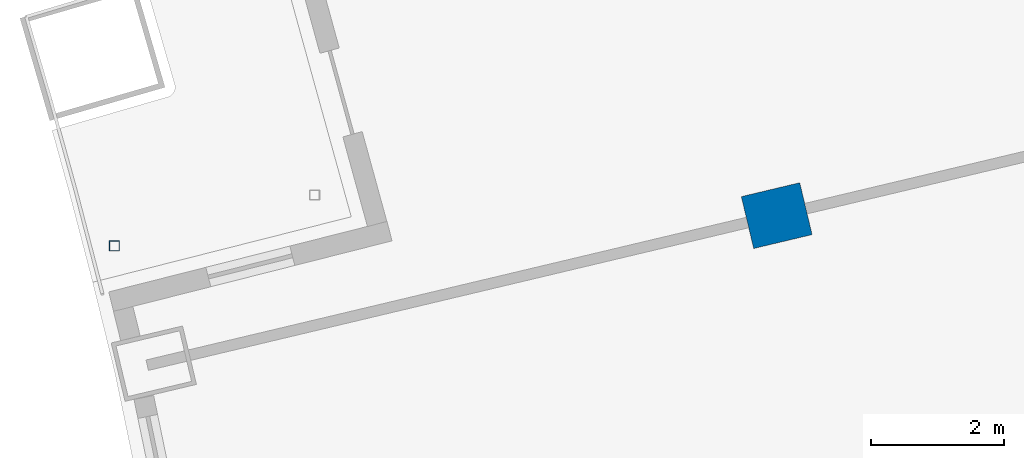
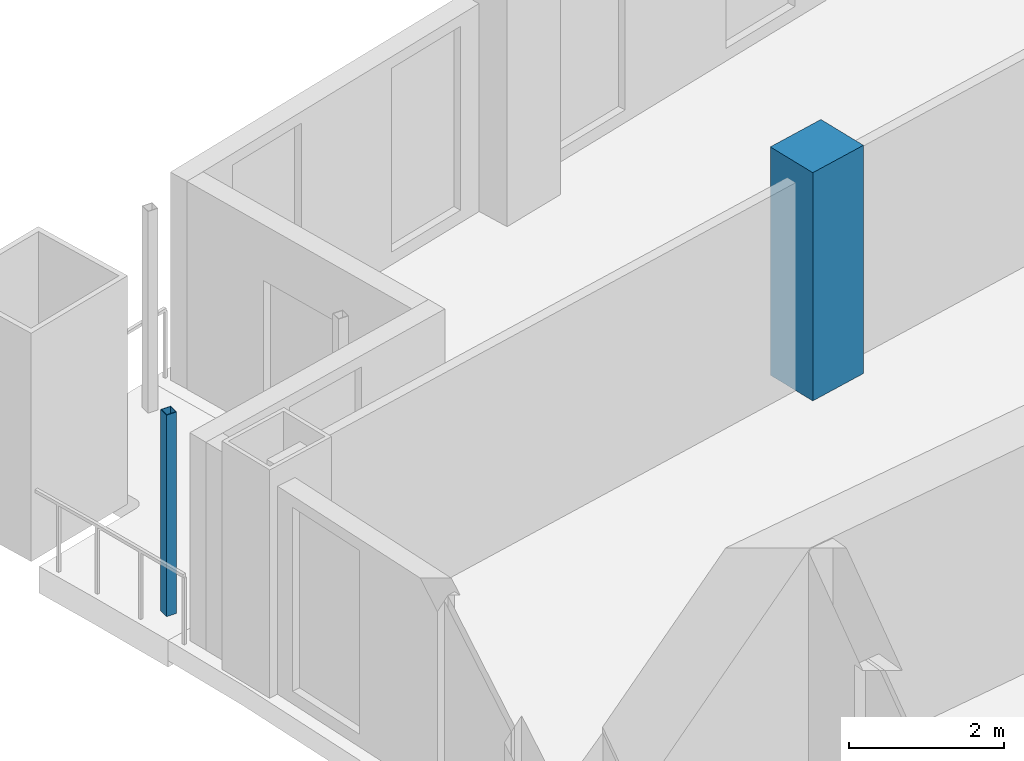
# One storey, part 5 of 20: 2 columns.
"""IFC4 building model written with IfcOpenShell, lengths in metres."""

from ifc_helpers import new_model, si_unit, direction, frame, origin, origin_2d, place, context, subcontext, project, spatial, rectangle, hollow_rectangle, extrude, material, material_profile, profile_set, type_object, element, save


model = new_model("IFC4")

# Units and contexts
model_context = context("Model", 3, precision=1e-05, world=origin(), true_north=direction((0.0, 1.0)))
body_context = subcontext(model_context, "Body", "Model", "MODEL_VIEW")
ifc_project = project(units=[si_unit("LENGTHUNIT", "METRE"), si_unit("AREAUNIT", "SQUARE_METRE"), si_unit("VOLUMEUNIT", "CUBIC_METRE"), si_unit("PLANEANGLEUNIT", "RADIAN"), si_unit("MASSUNIT", "GRAM", prefix="KILO")], contexts=[model_context])

# Site, building, storey
site_placement = place(None, origin())
site = spatial("IfcSite", under=ifc_project, at=site_placement, CompositionType="ELEMENT")
building_placement = place(site_placement, origin())
building = spatial("IfcBuilding", under=site, at=building_placement, Name="Alderwake Tower", CompositionType="ELEMENT")
storey_placement = place(building_placement, frame((0.0, 0.0, 142.39990234375)))
storey = spatial("IfcBuildingStorey", under=building, at=storey_placement, Name="L34", CompositionType="ELEMENT", Elevation=142.39990234375)

# Columns
ifc_material_1 = material(Name="Concrete C70/85", Category="concrete")
ifc_material_profile_1 = material_profile(ifc_material_1, rectangle(XDim=0.800048828125, YDim=0.89990234375, at=origin_2d()), Name="RC 900X800")
ifc_profile_set_1 = profile_set([ifc_material_profile_1], Name="Concrete C70/85")
column_type_1 = type_object("IfcColumnType", Name="Interior column Z3", PredefinedType="COLUMN", material=ifc_profile_set_1)
column_1_placement = place(storey_placement, frame((23.322021484375, 85.555908203125, 0.0), z_axis=(0.0, 0.0, 1.0), x_axis=(-0.231221547198, 0.972901123502, 0.0)))
element("IfcColumn", 1, at=column_1_placement, inside=storey, type_object=column_type_1, Name="Column R11-C1", PredefinedType="COLUMN", context=body_context, shape_type="SweptSolid", body=[
    extrude(rectangle(XDim=0.800048828125, YDim=0.89990234375, at=origin_2d()), origin(), (0.0, 0.0, 1.0), 3.60009765625),
])
ifc_material_2 = material(Name="Steel ASTM A500 Grade C", Category="steel")
ifc_material_profile_2 = material_profile(ifc_material_2, hollow_rectangle(XDim=0.15234375, YDim=0.15234375, WallThickness=0.0087890625, at=origin_2d()), Name="HSS6X6X3/8")
ifc_profile_set_2 = profile_set([ifc_material_profile_2], Name="Steel ASTM A500 Grade C")
column_type_2 = type_object("IfcColumnType", Name="Light post HSS6X6X3/8", PredefinedType="COLUMN", material=ifc_profile_set_2)
column_2_placement = place(storey_placement, frame((13.3896484375, 85.103515625, 0.0), z_axis=(0.0, 0.0, 1.0), x_axis=(1.0, 0.0, 0.0)))
element("IfcColumn", 2, at=column_2_placement, inside=storey, type_object=column_type_2, Name="Terrace post RN1", PredefinedType="COLUMN", context=body_context, shape_type="SweptSolid", body=[
    extrude(hollow_rectangle(XDim=0.15234375, YDim=0.15234375, WallThickness=0.0087890625, at=origin_2d()), origin(), (0.0, 0.0, 1.0), 3.18017578125),
])

save(model, "model.ifc")
